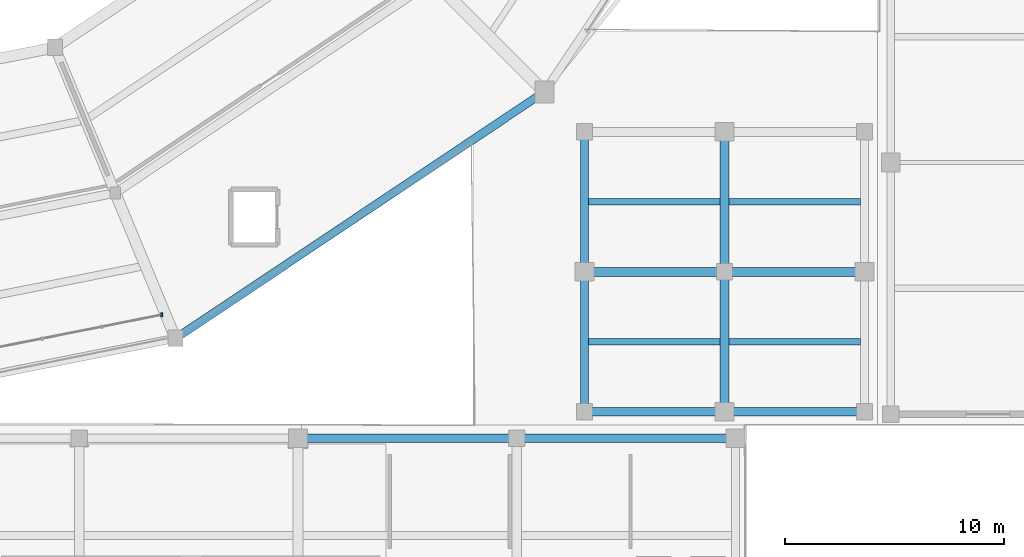
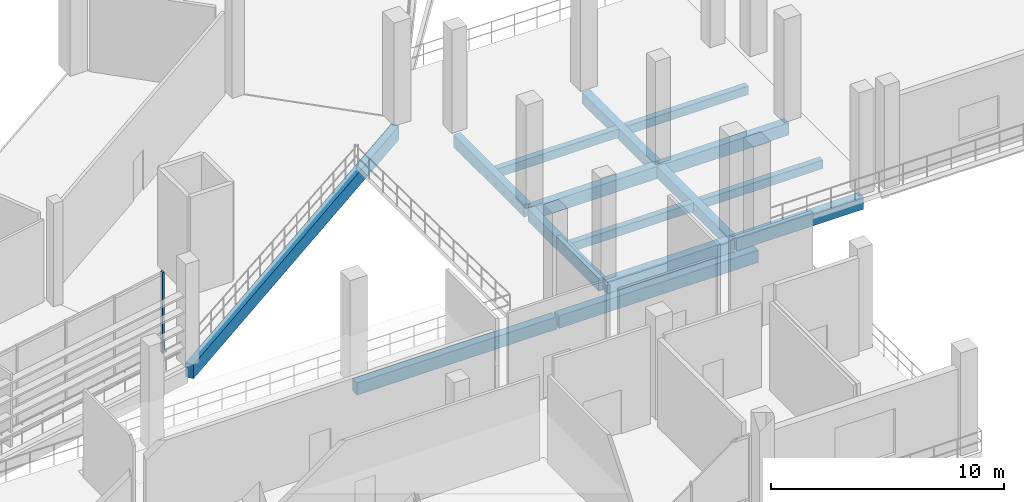
# One storey, part 36 of 114: 15 beams, 1 member, 1 element without a shape of its own.
"""IFC4 building model written with IfcOpenShell, lengths in metres."""

from ifc_helpers import new_model, si_unit, direction, frame, origin, origin_2d, place, context, subcontext, project, spatial, rectangle, extrude, material, material_profile, profile_set, type_object, element, aggregate, save


model = new_model("IFC4")

# Units and contexts
model_context = context("Model", 3, precision=1e-05, world=origin(), true_north=direction((0.0, 1.0)))
body_context = subcontext(model_context, "Body", "Model", "MODEL_VIEW")
ifc_project = project(units=[si_unit("LENGTHUNIT", "METRE"), si_unit("AREAUNIT", "SQUARE_METRE"), si_unit("VOLUMEUNIT", "CUBIC_METRE"), si_unit("PLANEANGLEUNIT", "RADIAN"), si_unit("MASSUNIT", "GRAM", prefix="KILO")], contexts=[model_context])

# Site, building, storey
site_placement = place(None, origin())
site = spatial("IfcSite", under=ifc_project, at=site_placement, CompositionType="ELEMENT")
building_placement = place(site_placement, origin())
building = spatial("IfcBuilding", under=site, at=building_placement, Name="Candeia Ridge Stadium", CompositionType="ELEMENT")
storey_placement = place(building_placement, frame((0.0, 0.0, 5.39990234375)))
storey = spatial("IfcBuildingStorey", under=building, at=storey_placement, Name="L01", CompositionType="ELEMENT", Elevation=5.39990234375)

# Curtain wall, member
ifc_material_1 = material(Name="Aluminium Anodized Warm Bronze", Category="aluminium")
curtain_wall_type = type_object("IfcCurtainWallType", Name="Concourse Recessed Unitised Curtain Wall", PredefinedType="NOTDEFINED", material=ifc_material_1)
curtain_wall_placement = place(storey_placement, origin())
curtain_wall = element("IfcCurtainWall", 1, at=curtain_wall_placement, inside=storey, type_object=curtain_wall_type, Name="Unitised curtain wall CW-BWL-L01-25", PredefinedType="NOTDEFINED")
ifc_material_profile_1 = material_profile(ifc_material_1, rectangle(XDim=0.090087890625, YDim=0.179931640625, at=origin_2d()), Name="CWM-90x180", Category="aluminium")
ifc_profile_set_1 = profile_set([ifc_material_profile_1], Name="Aluminium Anodized Warm Bronze")
member_type = type_object("IfcMemberType", Name="Curtain Wall Primary Mullion 90x180", PredefinedType="MULLION", material=ifc_profile_set_1)
member_placement = place(storey_placement, frame((160.263916015625, 24.03173828125, 0.0), z_axis=(0.0, 0.0, 1.0), x_axis=(1.0, 0.0, 0.0)))
member = element("IfcMember", 2, at=member_placement, type_object=member_type, Name="Curtain wall mullion CW-BWL-L01-25-M7", PredefinedType="MULLION", context=body_context, shape_type="SweptSolid", body=[
    extrude(rectangle(XDim=0.090087890625, YDim=0.179931640625, at=origin_2d()), origin(), (0.0, 0.0, 1.0), 4.2451171875),
])
aggregate(curtain_wall, [member])

# Beams
ifc_material_2 = material(Name="Concrete C40/50", Category="concrete")
ifc_material_profile_2 = material_profile(ifc_material_2, rectangle(XDim=0.300048828125, YDim=0.449951171875, at=origin_2d()), Name="RC300x450", Category="concrete")
ifc_profile_set_2 = profile_set([ifc_material_profile_2], Name="Concrete C40/50")
beam_type_1 = type_object("IfcBeamType", Name="Floor Joist RC300x450", PredefinedType="JOIST", material=ifc_profile_set_2)
for number, where, z_axis, x_axis, name in (
    (3, (179.7744140625, 22.800048828125, -0.48486328125), (1.0, 0.0, 0.0), (0.0, 1.0, 0.0), "Wing secondary joist BM-L01-2083"),
    (4, (179.7744140625, 29.199951171875, -0.48486328125), (1.0, 0.0, 0.0), (0.0, 1.0, 0.0), "Wing secondary joist BM-L01-2085"),
    (5, (186.199462890625, 22.800048828125, -0.48486328125), (1.0, 0.0, 0.0), (0.0, 1.0, 0.0), "Wing secondary joist BM-L01-2088"),
    (6, (186.199462890625, 29.199951171875, -0.48486328125), (1.0, 0.0, 0.0), (0.0, 1.0, 0.0), "Wing secondary joist BM-L01-2090"),
):
    element("IfcBeam", number, at=place(storey_placement, frame(where, z_axis=z_axis, x_axis=x_axis)), inside=storey, type_object=beam_type_1, Name=name, PredefinedType="JOIST", context=body_context, shape_type="SweptSolid", body=[
        extrude(rectangle(XDim=0.300048828125, YDim=0.449951171875, at=origin_2d()), origin(), (0.0, 0.0, 1.0), 6.026123046875),
    ])
ifc_material_profile_3 = material_profile(ifc_material_2, rectangle(XDim=0.39990234375, YDim=0.60009765625, at=origin_2d()), Name="RC400x600", Category="concrete")
ifc_profile_set_3 = profile_set([ifc_material_profile_3], Name="Concrete C40/50")
beam_type_2 = type_object("IfcBeamType", Name="Frame Girder RC400x600", PredefinedType="BEAM", material=ifc_profile_set_3)
for number, where, z_axis, x_axis, name in (
    (7, (186.0, 19.760009765625, -0.559814453125), (0.0, 1.0, 0.0), (-1.0, 0.0, 0.0), "Structural girder BM-L01-2078"),
    (8, (186.0, 26.159912109375, -0.559814453125), (0.0, 1.0, 0.0), (-1.0, 0.0, 0.0), "Structural girder BM-L01-2079"),
):
    element("IfcBeam", number, at=place(storey_placement, frame(where, z_axis=z_axis, x_axis=x_axis)), inside=storey, type_object=beam_type_2, Name=name, PredefinedType="BEAM", context=body_context, shape_type="SweptSolid", body=[
        extrude(rectangle(XDim=0.39990234375, YDim=0.60009765625, at=origin_2d()), origin(), (0.0, 0.0, 1.0), 6.080078125),
    ])
ifc_material_profile_4 = material_profile(ifc_material_2, rectangle(XDim=0.35009765625, YDim=0.64990234375, at=origin_2d()), Name="RC350x650", Category="concrete")
ifc_profile_set_4 = profile_set([ifc_material_profile_4], Name="Concrete C40/50")
beam_type_3 = type_object("IfcBeamType", Name="Spandrel Beam RC350x650", PredefinedType="SPANDREL", material=ifc_profile_set_4)
for number, where, z_axis, x_axis, name in (
    (9, (179.60009765625, 19.760009765625, -0.5849609375), (0.0, 1.0, 0.0), (-1.0, 0.0, 0.0), "Structural girder BM-L01-2076"),
    (10, (179.60009765625, 26.159912109375, -0.5849609375), (0.0, 1.0, 0.0), (-1.0, 0.0, 0.0), "Structural girder BM-L01-2077"),
):
    element("IfcBeam", number, at=place(storey_placement, frame(where, z_axis=z_axis, x_axis=x_axis)), inside=storey, type_object=beam_type_3, Name=name, PredefinedType="SPANDREL", context=body_context, shape_type="SweptSolid", body=[
        extrude(rectangle(XDim=0.35009765625, YDim=0.64990234375, at=origin_2d()), origin(), (0.0, 0.0, 1.0), 6.080078125),
    ])
ifc_material_3 = material(Name="Concrete C45/55", Category="concrete")
ifc_material_profile_5 = material_profile(ifc_material_3, rectangle(XDim=0.3701171875, YDim=0.739990234375, at=origin_2d()), Name="RC370x740", Category="concrete")
ifc_profile_set_5 = profile_set([ifc_material_profile_5], Name="Concrete C45/55")
beam_type_4 = type_object("IfcBeamType", Name="Spandrel Beam RC370x740", PredefinedType="SPANDREL", material=ifc_profile_set_5)
beam_placement = place(storey_placement, frame((161.032470703125, 23.047119140625, -0.6298828125), z_axis=(0.831468647505, 0.555571676938, 0.0), x_axis=(-0.555571676938, 0.831468647505, 0.0)))
element("IfcBeam", 11, at=beam_placement, inside=storey, type_object=beam_type_4, Name="Bowl perimeter spandrel BM-L01-0195", PredefinedType="SPANDREL", context=body_context, shape_type="SweptSolid", body=[
    extrude(rectangle(XDim=0.3701171875, YDim=0.739990234375, at=origin_2d()), origin(), (0.0, 0.0, 1.0), 19.969482421875),
])
ifc_material_profile_6 = material_profile(ifc_material_2, rectangle(XDim=0.39990234375, YDim=0.64990234375, at=origin_2d()), Name="RC400x650", Category="concrete")
ifc_profile_set_6 = profile_set([ifc_material_profile_6], Name="Concrete C40/50")
beam_type_5 = type_object("IfcBeamType", Name="Wing Primary Girder RC400x650", PredefinedType="BEAM", material=ifc_profile_set_6)
for number, where, z_axis, x_axis, name in (
    (12, (166.550048828125, 18.39990234375, -0.5849609375), (1.0, 0.0, 0.0), (0.0, 1.0, 0.0), "Structural girder BM-L01-2012"),
    (13, (176.550048828125, 18.39990234375, -0.5849609375), (1.0, 0.0, 0.0), (0.0, 1.0, 0.0), "Structural girder BM-L01-2017"),
):
    element("IfcBeam", number, at=place(storey_placement, frame(where, z_axis=z_axis, x_axis=x_axis)), inside=storey, type_object=beam_type_5, Name=name, PredefinedType="BEAM", context=body_context, shape_type="SweptSolid", body=[
        extrude(rectangle(XDim=0.39990234375, YDim=0.64990234375, at=origin_2d()), origin(), (0.0, 0.0, 1.0), 9.89990234375),
    ])
for number, where, z_axis, x_axis, name in (
    (14, (179.64990234375, 19.60009765625, -0.5849609375), (1.0, 0.0, 0.0), (0.0, 1.0, 0.0), "Structural girder BM-L01-2082"),
    (15, (179.64990234375, 26.0, -0.5849609375), (1.0, 0.0, 0.0), (0.0, 1.0, 0.0), "Structural girder BM-L01-2084"),
    (16, (186.050048828125, 19.60009765625, -0.5849609375), (1.0, 0.0, 0.0), (0.0, 1.0, 0.0), "Structural girder BM-L01-2087"),
    (17, (186.050048828125, 26.0, -0.5849609375), (1.0, 0.0, 0.0), (0.0, 1.0, 0.0), "Structural girder BM-L01-2089"),
):
    element("IfcBeam", number, at=place(storey_placement, frame(where, z_axis=z_axis, x_axis=x_axis)), inside=storey, type_object=beam_type_5, Name=name, PredefinedType="BEAM", context=body_context, shape_type="SweptSolid", body=[
        extrude(rectangle(XDim=0.39990234375, YDim=0.64990234375, at=origin_2d()), origin(), (0.0, 0.0, 1.0), 6.300048828125),
    ])

save(model, "model.ifc")
